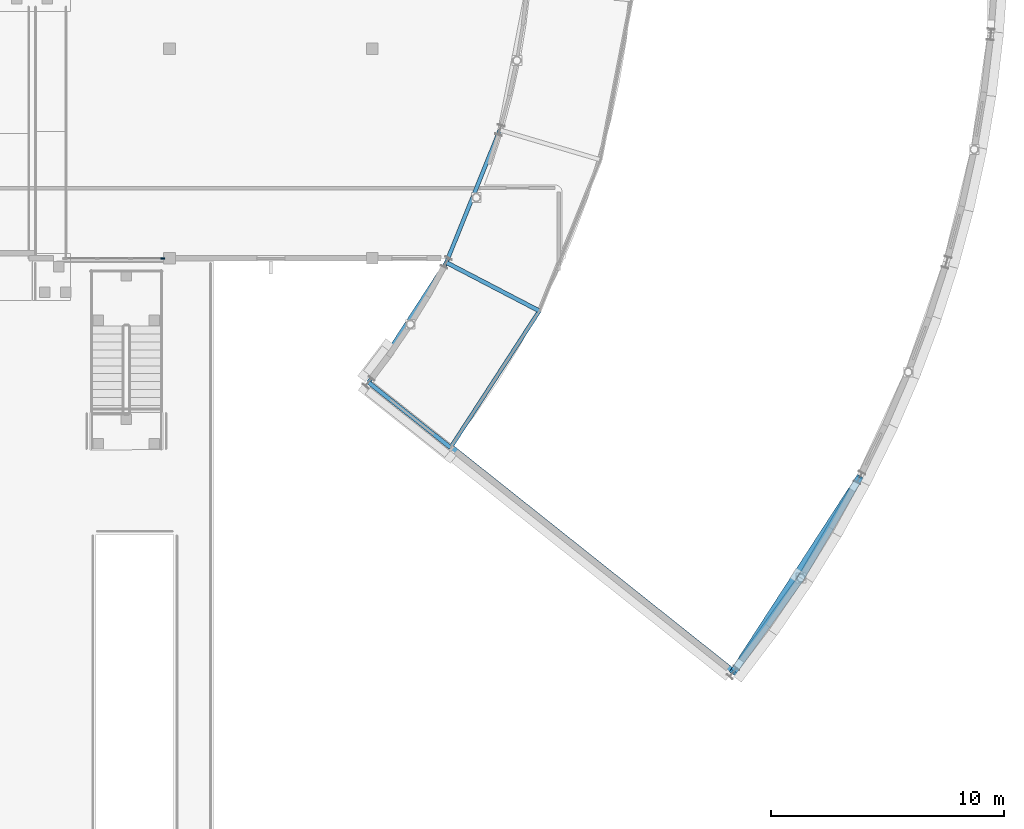
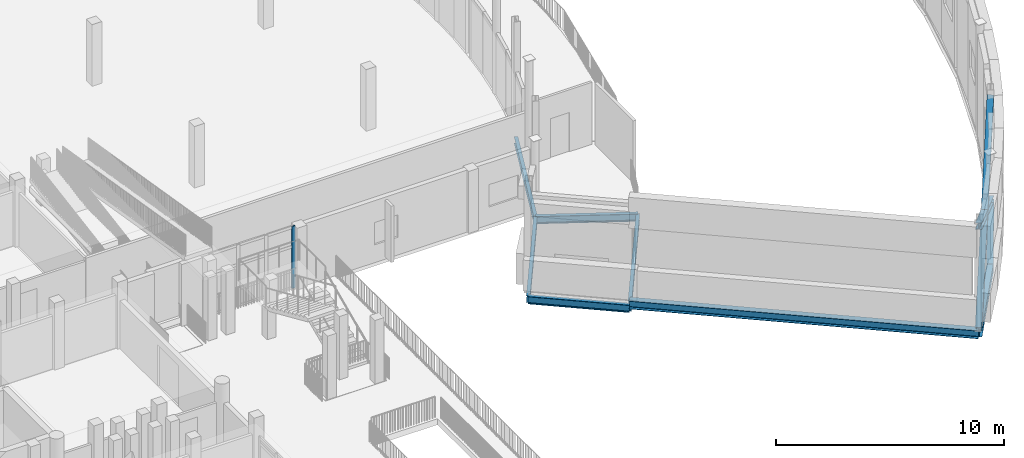
# One storey, part 45 of 104: 8 beams, 4 members, 1 element without a shape of its own.
"""IFC4 building model written with IfcOpenShell, lengths in metres."""

from ifc_helpers import new_model, si_unit, direction, frame, origin, origin_2d, place, context, subcontext, project, spatial, rectangle, i_section, extrude, material, material_profile, profile_set, type_object, element, aggregate, save


model = new_model("IFC4")

# Units and contexts
model_context = context("Model", 3, precision=1e-05, world=origin(), true_north=direction((0.0, 1.0)))
body_context = subcontext(model_context, "Body", "Model", "MODEL_VIEW")
ifc_project = project(units=[si_unit("LENGTHUNIT", "METRE"), si_unit("AREAUNIT", "SQUARE_METRE"), si_unit("VOLUMEUNIT", "CUBIC_METRE"), si_unit("PLANEANGLEUNIT", "RADIAN"), si_unit("MASSUNIT", "GRAM", prefix="KILO")], contexts=[model_context])

# Site, building, storey
site_placement = place(None, origin())
site = spatial("IfcSite", under=ifc_project, at=site_placement, CompositionType="ELEMENT")
building_placement = place(site_placement, origin())
building = spatial("IfcBuilding", under=site, at=building_placement, Name="Vanh Quang Courtyard School", CompositionType="ELEMENT")
storey_placement = place(building_placement, frame((0.0, 0.0, 4.199951171875)))
storey = spatial("IfcBuildingStorey", under=building, at=storey_placement, Name="L01", CompositionType="ELEMENT", Elevation=4.199951171875)

# Beams
ifc_material_1 = material(Name="Structural steel EN 10025-2 S355J2", Category="steel")
ifc_material_profile_1 = material_profile(ifc_material_1, i_section(OverallWidth=0.300048828125, OverallDepth=0.43994140625, WebThickness=0.011474609375, FlangeThickness=0.02099609375, FilletRadius=0.027099609375, at=origin_2d()), Name="HEA 450")
ifc_profile_set_1 = profile_set([ifc_material_profile_1], Name="Structural steel EN 10025-2 S355J2")
beam_type_1 = type_object("IfcBeamType", Name="BM-STL-HEA450", PredefinedType="BEAM", material=ifc_profile_set_1)
beam_1_placement = place(storey_placement, frame((140.565185546875, 33.2783203125, -0.219970703125), z_axis=(0.782600705373, -0.622524004316, 0.0), x_axis=(0.622524004316, 0.782600705373, 0.0)))
element("IfcBeam", 1, at=beam_1_placement, inside=storey, type_object=beam_type_1, Name="Beam SB-07 (L01)", PredefinedType="BEAM", context=body_context, shape_type="SweptSolid", body=[
    extrude(i_section(OverallWidth=0.300048828125, OverallDepth=0.43994140625, WebThickness=0.011474609375, FlangeThickness=0.02099609375, FilletRadius=0.027099609375, at=origin_2d()), origin(), (0.0, 0.0, 1.0), 15.5),
])
for number, where, z_axis, x_axis, name in (
    (2, (152.695556640625, 23.629150390625, -0.219970703125), (0.584251878004, 0.811572389285, 0.0), (-0.811572389285, 0.584251878004, 0.0), "Beam SB-07 (L01)"),
    (3, (155.61083984375, 27.6787109375, -0.219970703125), (0.503770629409, 0.86383745748, 0.0), (-0.86383745748, 0.503770629409, 0.0), "Beam SB-07 (L01)"),
):
    element("IfcBeam", number, at=place(storey_placement, frame(where, z_axis=z_axis, x_axis=x_axis)), inside=storey, type_object=beam_type_1, Name=name, PredefinedType="BEAM", context=body_context, shape_type="SweptSolid", body=[
        extrude(i_section(OverallWidth=0.300048828125, OverallDepth=0.43994140625, WebThickness=0.011474609375, FlangeThickness=0.02099609375, FilletRadius=0.027099609375, at=origin_2d()), origin(), (0.0, 0.0, 1.0), 4.98974609375),
    ])
ifc_material_profile_2 = material_profile(ifc_material_1, i_section(OverallWidth=0.169921875, OverallDepth=0.360107421875, WebThickness=0.008056640625, FlangeThickness=0.0126953125, FilletRadius=0.01806640625, at=origin_2d()), Name="IPE 360")
ifc_profile_set_2 = profile_set([ifc_material_profile_2], Name="Structural steel EN 10025-2 S355J2")
beam_type_2 = type_object("IfcBeamType", Name="BM-STL-IPE360", PredefinedType="BEAM", material=ifc_profile_set_2)
beam_2_placement = place(storey_placement, frame((137.04345703125, 36.07958984375, -0.47998046875), z_axis=(0.544630166245, 0.838676327325, 0.0), x_axis=(-0.838676327325, 0.544630166245, 0.0)))
element("IfcBeam", 4, at=beam_2_placement, inside=storey, type_object=beam_type_2, Name="Beam SB-06 (L01)", PredefinedType="BEAM", context=body_context, shape_type="SweptSolid", body=[
    extrude(i_section(OverallWidth=0.169921875, OverallDepth=0.360107421875, WebThickness=0.008056640625, FlangeThickness=0.0126953125, FilletRadius=0.01806640625, at=origin_2d()), origin(), (0.0, 0.0, 1.0), 6.134033203125),
])
beam_3_placement = place(storey_placement, frame((140.565185546875, 33.2783203125, -0.47998046875), z_axis=(0.544651024109, 0.838662782015, 0.0), x_axis=(-0.838662782015, 0.544651024109, 0.0)))
element("IfcBeam", 5, at=beam_3_placement, inside=storey, type_object=beam_type_2, Name="Beam SB-06 (L01)", PredefinedType="BEAM", context=body_context, shape_type="SweptSolid", body=[
    extrude(i_section(OverallWidth=0.169921875, OverallDepth=0.360107421875, WebThickness=0.008056640625, FlangeThickness=0.0126953125, FilletRadius=0.01806640625, at=origin_2d()), origin(), (0.0, 0.0, 1.0), 6.996826171875),
])
beam_4_placement = place(storey_placement, frame((140.38427734375, 41.22412109375, -0.47998046875), z_axis=(0.374599922936, 0.927186549588, 0.0), x_axis=(-0.927186549588, 0.374599922936, 0.0)))
element("IfcBeam", 6, at=beam_4_placement, inside=storey, type_object=beam_type_2, Name="Beam SB-06 (L01)", PredefinedType="BEAM", context=body_context, shape_type="SweptSolid", body=[
    extrude(i_section(OverallWidth=0.169921875, OverallDepth=0.360107421875, WebThickness=0.008056640625, FlangeThickness=0.0126953125, FilletRadius=0.01806640625, at=origin_2d()), origin(), (0.0, 0.0, 1.0), 6.134033203125),
])
ifc_material_profile_3 = material_profile(ifc_material_1, i_section(OverallWidth=0.179931640625, OverallDepth=0.39990234375, WebThickness=0.008544921875, FlangeThickness=0.013427734375, FilletRadius=0.02099609375, at=origin_2d()), Name="IPE 400")
ifc_profile_set_3 = profile_set([ifc_material_profile_3], Name="Structural steel EN 10025-2 S355J2")
beam_type_3 = type_object("IfcBeamType", Name="BM-STL-IPE400", PredefinedType="BEAM", material=ifc_profile_set_3)
beam_5_placement = place(storey_placement, frame((137.04345703125, 36.07958984375, -0.47998046875), z_axis=(0.782612467787, -0.622509217011, 0.0), x_axis=(0.622509217011, 0.782612467787, 0.0)))
element("IfcBeam", 7, at=beam_5_placement, inside=storey, type_object=beam_type_3, Name="Beam SB-05 (L01)", PredefinedType="BEAM", context=body_context, shape_type="SweptSolid", body=[
    extrude(i_section(OverallWidth=0.179931640625, OverallDepth=0.39990234375, WebThickness=0.008544921875, FlangeThickness=0.013427734375, FilletRadius=0.02099609375, at=origin_2d()), origin(), (0.0, 0.0, 1.0), 4.5),
])
beam_6_placement = place(storey_placement, frame((140.38427734375, 41.22412109375, -0.47998046875), z_axis=(0.887016860931, -0.461737033846, 0.0), x_axis=(0.461737033846, 0.887016860931, 0.0)))
element("IfcBeam", 8, at=beam_6_placement, inside=storey, type_object=beam_type_3, Name="Beam SB-05 (L01)", PredefinedType="BEAM", context=body_context, shape_type="SweptSolid", body=[
    extrude(i_section(OverallWidth=0.179931640625, OverallDepth=0.39990234375, WebThickness=0.008544921875, FlangeThickness=0.013427734375, FilletRadius=0.02099609375, at=origin_2d()), origin(), (0.0, 0.0, 1.0), 4.500244140625),
])

# Curtain wall, member
ifc_material_2 = material(Name="Thermally broken aluminium unitised curtain wall", Category="aluminium")
curtain_wall_type = type_object("IfcCurtainWallType", Name="CW-SYS-27", PredefinedType="NOTDEFINED", material=ifc_material_2)
curtain_wall_placement = place(storey_placement, origin())
curtain_wall = element("IfcCurtainWall", 9, at=curtain_wall_placement, inside=storey, type_object=curtain_wall_type, Name="Curtain Wall CW-27 (L01)", PredefinedType="NOTDEFINED")
ifc_material_3 = material(Name="Anodised aluminium 6063-T6", Category="aluminium")
ifc_material_profile_4 = material_profile(ifc_material_3, rectangle(XDim=0.070068359375, YDim=0.179931640625, at=origin_2d()), Name="ALU-MUL 70x180")
ifc_profile_set_4 = profile_set([ifc_material_profile_4], Name="Anodised aluminium 6063-T6")
member_type_1 = type_object("IfcMemberType", Name="CW-MUL-70x180", PredefinedType="MULLION", material=ifc_profile_set_4)
member_1_placement = place(storey_placement, frame((128.20703125, 41.39990234375, 0.0), z_axis=(0.0, 0.0, 1.0), x_axis=(0.0, -1.0, 0.0)))
member_1 = element("IfcMember", 10, at=member_1_placement, type_object=member_type_1, Name="CW-27 mullion 1", PredefinedType="MULLION", context=body_context, shape_type="SweptSolid", body=[
    extrude(rectangle(XDim=0.070068359375, YDim=0.179931640625, at=origin_2d()), origin(), (0.0, 0.0, 1.0), 3.320068359375),
])
aggregate(curtain_wall, [member_1])

# Members
ifc_material_profile_5 = material_profile(ifc_material_1, i_section(OverallWidth=0.300048828125, OverallDepth=0.300048828125, WebThickness=0.010986328125, FlangeThickness=0.01904296875, FilletRadius=0.027099609375, at=origin_2d()), Name="HEB 300")
ifc_profile_set_5 = profile_set([ifc_material_profile_5], Name="Structural steel EN 10025-2 S355J2")
member_type_2 = type_object("IfcMemberType", Name="MEM-BRC-HEB300", PredefinedType="BRACE", material=ifc_profile_set_5)
member_2_placement = place(storey_placement, frame((152.695556640625, 23.629150390625, 0.0), z_axis=(0.476865100563, 0.734308349754, 0.48310549919), x_axis=(-0.83867073359, 0.544638779944, 0.0)))
element("IfcMember", 11, at=member_2_placement, inside=storey, type_object=member_type_2, Name="Structural Member MB-09 (L01)", PredefinedType="BRACE", context=body_context, shape_type="SweptSolid", body=[
    extrude(i_section(OverallWidth=0.300048828125, OverallDepth=0.300048828125, WebThickness=0.010986328125, FlangeThickness=0.01904296875, FilletRadius=0.027099609375, at=origin_2d()), origin(), (0.0, 0.0, 1.0), 11.384765625),
])
for number, where, z_axis, x_axis, name in (
    (12, (158.12451171875, 31.989013671875, 0.0), (-0.476848532165, -0.734315858894, 0.483110439495), (0.838681921046, -0.544621552374, 0.0), "Structural Member MB-09 (L01)"),
    (13, (155.41015625, 27.80908203125, 2.75), (-0.476881668453, -0.734300840506, 0.483100558814), (0.838659546079, -0.544656006825, 0.0), "Structural Member MB-09 (L01)"),
):
    element("IfcMember", number, at=place(storey_placement, frame(where, z_axis=z_axis, x_axis=x_axis)), inside=storey, type_object=member_type_2, Name=name, PredefinedType="BRACE", context=body_context, shape_type="SweptSolid", body=[
        extrude(i_section(OverallWidth=0.300048828125, OverallDepth=0.300048828125, WebThickness=0.010986328125, FlangeThickness=0.01904296875, FilletRadius=0.027099609375, at=origin_2d()), origin(), (0.0, 0.0, 1.0), 5.6923828125),
    ])

save(model, "model.ifc")
